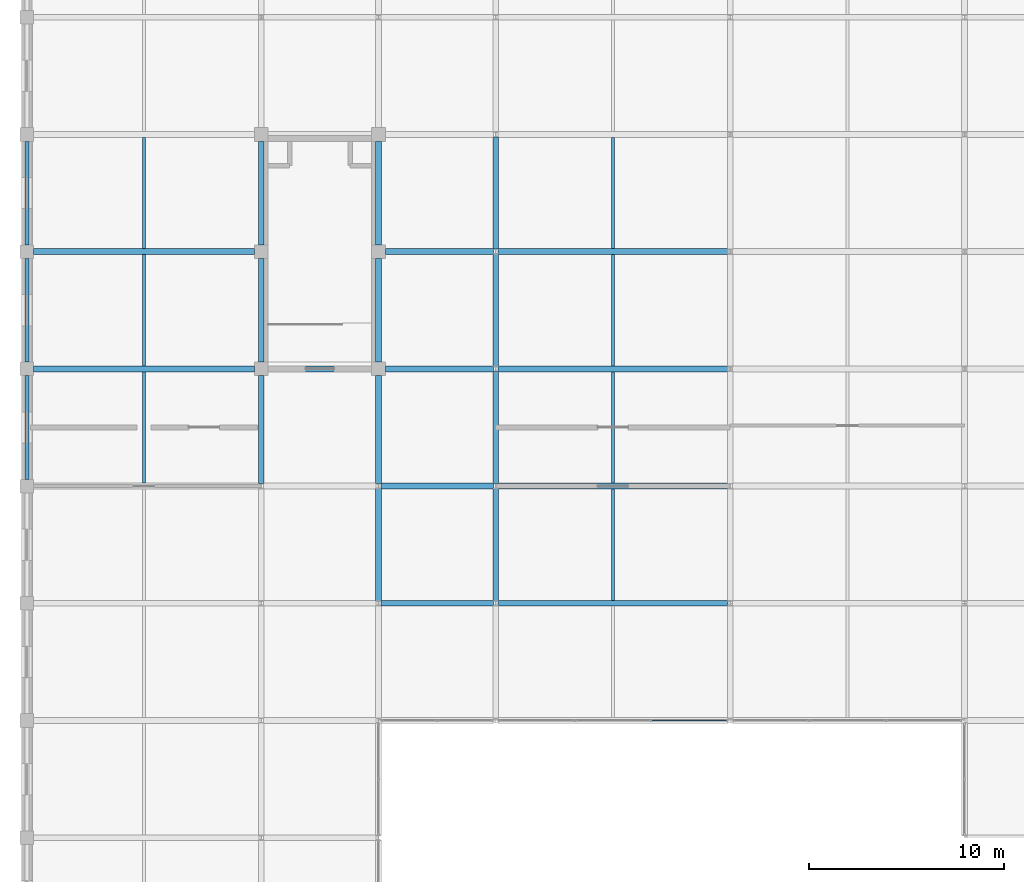
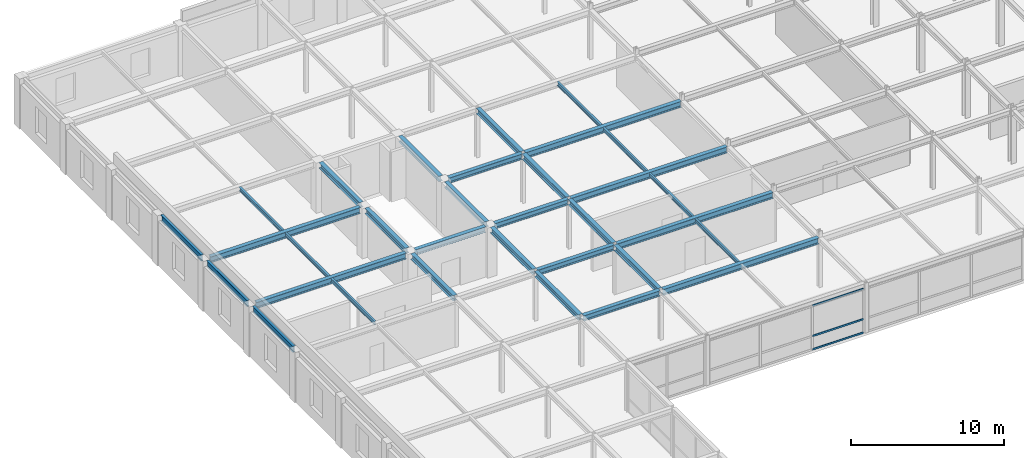
# One storey, part 73 of 111: 32 beams, 3 members, 1 element without a shape of its own.
"""IFC4 building model written with IfcOpenShell, lengths in metres."""

import ifcopenshell
import ifcopenshell.guid

model = None  # the IFC model being written
_history = None  # IfcOwnerHistory: only IFC2X3 demands one
_inside = {}  # id of a spatial element -> (the spatial element, [elements in it])
_under = {}  # id of a project, library or spatial element -> (it, [spatial elements below it])
_declared = {}  # id of a project -> (the project, [libraries it declares])
_typed = {}  # id of a type object -> (the type object, [elements of that type])
_made_of = {}  # id of a material, layer set ... -> (it, [elements and type objects made of it])


def new_model(schema):
    """Start an empty IFC model of exactly this schema.

    Asked for "IFC4X3", IfcOpenShell would pick the latest addendum, in which some entities
    have other attributes; the version numbers below select the first issue.
    IFC2X3 requires an IfcOwnerHistory on every rooted entity: one is made here for all.
    """
    global model, _history
    if schema == "IFC4X3":
        model = ifcopenshell.file(schema_version=(4, 3, 0, 0))
    else:
        model = ifcopenshell.file(schema=schema)
    _inside.clear()
    _under.clear()
    _declared.clear()
    _typed.clear()
    _made_of.clear()
    _history = None
    if model.schema == "IFC2X3":
        org = make("IfcOrganization", Name="unknown")
        user = make(
            "IfcPersonAndOrganization",
            ThePerson=make("IfcPerson", FamilyName="unknown"),
            TheOrganization=org,
        )
        app = make(
            "IfcApplication",
            ApplicationDeveloper=org,
            Version="unknown",
            ApplicationFullName="unknown",
            ApplicationIdentifier="unknown",
        )
        _history = make(
            "IfcOwnerHistory",
            OwningUser=user,
            OwningApplication=app,
            ChangeAction="ADDED",
            CreationDate=0,
        )
    return model


def make(cls, **values):
    """One entity of the class cls with the attributes given. An attribute that is None is left unset."""
    return model.create_entity(
        cls, **{name: value for name, value in values.items() if value is not None}
    )


def rooted(cls, **values):
    """An entity with a GlobalId (a new one), such as an element, a storey or a relation."""
    return make(cls, GlobalId=ifcopenshell.guid.new(), OwnerHistory=_history, **values)


def si_unit(unit_type, name, prefix=None):
    """IfcSIUnit, for example si_unit("LENGTHUNIT", "METRE", prefix="MILLI")."""
    return make("IfcSIUnit", UnitType=unit_type, Prefix=prefix, Name=name)


def assignment(units):
    """IfcUnitAssignment: the units of a project."""
    return None if units is None else make("IfcUnitAssignment", Units=units)


def point(xyz):
    """IfcCartesianPoint."""
    return None if xyz is None else make("IfcCartesianPoint", Coordinates=xyz)


def direction(xyz):
    """IfcDirection."""
    return None if xyz is None else make("IfcDirection", DirectionRatios=xyz)


def frame(location, z_axis=None, x_axis=None):
    """IfcAxis2Placement3D, a coordinate frame: its origin and axes. An axis left out is left unset."""
    return make(
        "IfcAxis2Placement3D",
        Location=point(location),
        Axis=direction(z_axis),
        RefDirection=direction(x_axis),
    )


def frame_2d(location, x_axis=None):
    """IfcAxis2Placement2D, a coordinate frame in the plane: its origin and x axis."""
    return make(
        "IfcAxis2Placement2D", Location=point(location), RefDirection=direction(x_axis)
    )


def origin():
    """The frame at (0, 0, 0) with its axes left unset."""
    return frame((0.0, 0.0, 0.0))


def origin_2d():
    """The frame at (0, 0) in the plane with its x axis left unset."""
    return frame_2d((0.0, 0.0))


def place(relative_to, where):
    """IfcLocalPlacement: puts the frame where relative to a parent placement (None: the world)."""
    return make(
        "IfcLocalPlacement", PlacementRelTo=relative_to, RelativePlacement=where
    )


def context(
    kind, dimensions, precision=None, world=None, true_north=None, identifier=None
):
    """IfcGeometricRepresentationContext, for example the 3D "Model" context."""
    return make(
        "IfcGeometricRepresentationContext",
        ContextIdentifier=identifier,
        ContextType=kind,
        CoordinateSpaceDimension=dimensions,
        Precision=precision,
        WorldCoordinateSystem=world,
        TrueNorth=true_north,
    )


def subcontext(parent, identifier, kind, view, scale=None):
    """IfcGeometricRepresentationSubContext, for example "Body" below "Model"."""
    return make(
        "IfcGeometricRepresentationSubContext",
        ContextIdentifier=identifier,
        ContextType=kind,
        ParentContext=parent,
        TargetScale=scale,
        TargetView=view,
    )


def project(units=None, contexts=None):
    """IfcProject with its units and contexts."""
    return rooted(
        "IfcProject",
        Name="project",
        RepresentationContexts=contexts,
        UnitsInContext=assignment(units),
    )


def spatial(cls, under=None, at=None, **own):
    """A site, building, storey or space (cls), placed at a placement, below another one or the project."""
    s = rooted(cls, ObjectPlacement=at, **own)
    if under is not None:
        _under.setdefault(under.id(), (under, []))[1].append(s)
    return s


def profile(cls, at=None, kind="AREA", **sizes):
    """A parametric profile (cls). Its sizes go by their IFC names, for example OverallWidth=200.0."""
    return make(cls, ProfileType=kind, Position=at, **sizes)


def hollow_rectangle(**sizes):
    """IfcRectangleHollowProfileDef."""
    return profile("IfcRectangleHollowProfileDef", **sizes)


def i_section(**sizes):
    """IfcIShapeProfileDef."""
    return profile("IfcIShapeProfileDef", **sizes)


def extrude(swept, where, along, depth):
    """IfcExtrudedAreaSolid: the profile swept, set in the frame where, extruded along a direction by depth."""
    return make(
        "IfcExtrudedAreaSolid",
        SweptArea=swept,
        Position=where,
        ExtrudedDirection=direction(along),
        Depth=depth,
    )


def shape(context_of_items, identifier, shape_type, items):
    """IfcShapeRepresentation: the items that make up one representation, for example the "Body"."""
    return make(
        "IfcShapeRepresentation",
        ContextOfItems=context_of_items,
        RepresentationIdentifier=identifier,
        RepresentationType=shape_type,
        Items=items,
    )


def material(Name=None, Category=None):
    """IfcMaterial."""
    return make("IfcMaterial", Name=Name, Category=Category)


def layer(
    of_material, thickness, ventilated=None, Name=None, Category=None, Priority=None
):
    """IfcMaterialLayer: one layer of a wall or slab, of a material (None: an air gap)."""
    return make(
        "IfcMaterialLayer",
        Material=of_material,
        LayerThickness=thickness,
        IsVentilated=ventilated,
        Name=Name,
        Category=Category,
        Priority=Priority,
    )


def layer_set(layers, Name=None):
    """IfcMaterialLayerSet."""
    return make("IfcMaterialLayerSet", MaterialLayers=layers, LayerSetName=Name)


def material_profile(
    of_material, cross_section, Name=None, Category=None, Priority=None
):
    """IfcMaterialProfile: a cross section and its material."""
    return make(
        "IfcMaterialProfile",
        Name=Name,
        Material=of_material,
        Profile=cross_section,
        Priority=Priority,
        Category=Category,
    )


def profile_set(profiles, Name=None, composite=None):
    """IfcMaterialProfileSet."""
    return make(
        "IfcMaterialProfileSet",
        Name=Name,
        MaterialProfiles=profiles,
        CompositeProfile=composite,
    )


def made_of(thing, what):
    """Note that an element or type object is made of a material, layer set ...; save() writes the relation."""
    if what is not None:
        _made_of.setdefault(what.id(), (what, []))[1].append(thing)
    return thing


def type_object(cls, material=None, **own):
    """A type object (cls), such as IfcWallType, which elements share."""
    return made_of(rooted(cls, **own), material)


def element(
    cls,
    number,
    at=None,
    inside=None,
    cuts=None,
    type_object=None,
    material=None,
    context=None,
    identifier="Body",
    shape_type=None,
    held_by="IfcProductDefinitionShape",
    body=None,
    shapes=None,
    **own,
):
    """One element of the class cls, such as IfcWall. Its Tag is "e" and its number.

    at: its placement. inside: the storey or other place that contains it. cuts: it is an
    opening in that element (IfcRelVoidsElement). A single representation is given by context,
    identifier, shape_type and body (its items); several are given by shapes. held_by: the class
    of the entity that holds the representations. save() writes the other relations.
    """
    e = rooted(cls, Tag="e%d" % number, ObjectPlacement=at, **own)
    if body is not None:
        shapes = [shape(context, identifier, shape_type, body)]
    if shapes is not None:
        e.Representation = make(held_by, Representations=shapes)
    if inside is not None:
        _inside.setdefault(inside.id(), (inside, []))[1].append(e)
    if cuts is not None:
        rooted(
            "IfcRelVoidsElement", RelatingBuildingElement=cuts, RelatedOpeningElement=e
        )
    if type_object is not None:
        _typed.setdefault(type_object.id(), (type_object, []))[1].append(e)
    return made_of(e, material)


def aggregate(whole, parts):
    """IfcRelAggregates: a whole, such as a stair, and the parts it consists of."""
    return rooted("IfcRelAggregates", RelatingObject=whole, RelatedObjects=parts)


def save(model, path):
    """Write the relations noted so far, then the file.

    IfcRelAggregates (storeys below a building ...), IfcRelContainedInSpatialStructure (elements
    in a storey), IfcRelDefinesByType, IfcRelAssociatesMaterial and IfcRelDeclares: one each for
    every whole, place, type object, material and project.
    """
    for whole, parts in _under.values():
        aggregate(whole, parts)
    for where, things in _inside.values():
        rooted(
            "IfcRelContainedInSpatialStructure",
            RelatedElements=things,
            RelatingStructure=where,
        )
    for kind, things in _typed.values():
        rooted("IfcRelDefinesByType", RelatedObjects=things, RelatingType=kind)
    for what, things in _made_of.values():
        rooted("IfcRelAssociatesMaterial", RelatedObjects=things, RelatingMaterial=what)
    for by, libraries in _declared.values():
        rooted("IfcRelDeclares", RelatingContext=by, RelatedDefinitions=libraries)
    model.write(path)


model = new_model("IFC4")

# Units and contexts
model_context = context("Model", 3, precision=1e-05, world=origin(), true_north=direction((0.0, 1.0)))
body_context = subcontext(model_context, "Body", "Model", "MODEL_VIEW")
ifc_project = project(units=[si_unit("LENGTHUNIT", "METRE"), si_unit("AREAUNIT", "SQUARE_METRE"), si_unit("VOLUMEUNIT", "CUBIC_METRE"), si_unit("PLANEANGLEUNIT", "RADIAN"), si_unit("MASSUNIT", "GRAM", prefix="KILO")], contexts=[model_context])

# Site, building, storey
site_placement = place(None, origin())
site = spatial("IfcSite", under=ifc_project, at=site_placement, CompositionType="ELEMENT")
building_placement = place(site_placement, origin())
building = spatial("IfcBuilding", under=site, at=building_placement, Name="Zlatovratsky Civic Hall", CompositionType="ELEMENT")
storey_placement = place(building_placement, frame((0.0, 0.0, 16.5)))
storey = spatial("IfcBuildingStorey", under=building, at=storey_placement, Name="L04", CompositionType="ELEMENT", Elevation=16.5)

# Beams
ifc_material_1 = material(Name="Steel S355", Category="steel")
ifc_material_profile_1 = material_profile(ifc_material_1, i_section(OverallWidth=0.300048828125, OverallDepth=0.487060546875, WebThickness=0.014404296875, FlangeThickness=0.017578125, FilletRadius=0.02392578125, at=origin_2d()), Name="50Sh2")
ifc_profile_set_1 = profile_set([ifc_material_profile_1], Name="Steel S355")
beam_type_1 = type_object("IfcBeamType", Name="Beam_ArchiveGirder_50Sh2", PredefinedType="BEAM", material=ifc_profile_set_1)
for number, where, z_axis, x_axis, name in (
    (1, (24.125, 72.0, 3.756591796875), (1.0, 0.0, 0.0), (0.0, 1.0, 0.0), "BM-3349"),
    (2, (24.125, 78.0, 3.756591796875), (1.0, 0.0, 0.0), (0.0, 1.0, 0.0), "BM-3365"),
):
    element("IfcBeam", number, at=place(storey_placement, frame(where, z_axis=z_axis, x_axis=x_axis)), inside=storey, type_object=beam_type_1, Name=name, PredefinedType="BEAM", context=body_context, shape_type="SweptSolid", body=[
        extrude(i_section(OverallWidth=0.300048828125, OverallDepth=0.487060546875, WebThickness=0.014404296875, FlangeThickness=0.017578125, FilletRadius=0.02392578125, at=origin_2d()), origin(), (0.0, 0.0, 1.0), 11.75),
    ])
beam_1_placement = place(storey_placement, frame((0.35009765625, 84.0, 3.756591796875), z_axis=(1.0, 0.0, 0.0), x_axis=(0.0, 1.0, 0.0)))
element("IfcBeam", 3, at=beam_1_placement, inside=storey, type_object=beam_type_1, Name="BM-3384", PredefinedType="BEAM", context=body_context, shape_type="SweptSolid", body=[
    extrude(i_section(OverallWidth=0.300048828125, OverallDepth=0.487060546875, WebThickness=0.014404296875, FlangeThickness=0.017578125, FilletRadius=0.02392578125, at=origin_2d()), origin(), (0.0, 0.0, 1.0), 11.2998046875),
])
beam_2_placement = place(storey_placement, frame((24.125, 84.0, 3.756591796875), z_axis=(1.0, 0.0, 0.0), x_axis=(0.0, 1.0, 0.0)))
element("IfcBeam", 4, at=beam_2_placement, inside=storey, type_object=beam_type_1, Name="BM-3387", PredefinedType="BEAM", context=body_context, shape_type="SweptSolid", body=[
    extrude(i_section(OverallWidth=0.300048828125, OverallDepth=0.487060546875, WebThickness=0.014404296875, FlangeThickness=0.017578125, FilletRadius=0.02392578125, at=origin_2d()), origin(), (0.0, 0.0, 1.0), 11.75),
])
beam_3_placement = place(storey_placement, frame((0.35009765625, 90.0, 3.756591796875), z_axis=(1.0, 0.0, 0.0), x_axis=(0.0, 1.0, 0.0)))
element("IfcBeam", 5, at=beam_3_placement, inside=storey, type_object=beam_type_1, Name="BM-3406", PredefinedType="BEAM", context=body_context, shape_type="SweptSolid", body=[
    extrude(i_section(OverallWidth=0.300048828125, OverallDepth=0.487060546875, WebThickness=0.014404296875, FlangeThickness=0.017578125, FilletRadius=0.02392578125, at=origin_2d()), origin(), (0.0, 0.0, 1.0), 11.2998046875),
])
beam_4_placement = place(storey_placement, frame((24.125, 90.0, 3.756591796875), z_axis=(1.0, 0.0, 0.0), x_axis=(0.0, 1.0, 0.0)))
element("IfcBeam", 6, at=beam_4_placement, inside=storey, type_object=beam_type_1, Name="BM-3408", PredefinedType="BEAM", context=body_context, shape_type="SweptSolid", body=[
    extrude(i_section(OverallWidth=0.300048828125, OverallDepth=0.487060546875, WebThickness=0.014404296875, FlangeThickness=0.017578125, FilletRadius=0.02392578125, at=origin_2d()), origin(), (0.0, 0.0, 1.0), 11.75),
])
ifc_material_profile_2 = material_profile(ifc_material_1, i_section(OverallWidth=0.198974609375, OverallDepth=0.491943359375, WebThickness=0.0087890625, FlangeThickness=0.011962890625, FilletRadius=0.01611328125, at=origin_2d()), Name="50B1")
ifc_profile_set_2 = profile_set([ifc_material_profile_2], Name="Steel S355")
beam_type_2 = type_object("IfcBeamType", Name="Beam_Spandrel_50B1", PredefinedType="SPANDREL", material=ifc_profile_set_2)
for number, where, z_axis, x_axis, name in (
    (7, (0.0, 78.35009765625, 3.75390625), (0.0, 1.0, 0.0), (-1.0, 0.0, 0.0), "BM-3523"),
    (8, (0.0, 84.35009765625, 3.75390625), (0.0, 1.0, 0.0), (-1.0, 0.0, 0.0), "BM-3524"),
    (9, (0.0, 90.35009765625, 3.75390625), (0.0, 1.0, 0.0), (-1.0, 0.0, 0.0), "BM-3525"),
):
    element("IfcBeam", number, at=place(storey_placement, frame(where, z_axis=z_axis, x_axis=x_axis)), inside=storey, type_object=beam_type_2, Name=name, PredefinedType="SPANDREL", context=body_context, shape_type="SweptSolid", body=[
        extrude(i_section(OverallWidth=0.198974609375, OverallDepth=0.491943359375, WebThickness=0.0087890625, FlangeThickness=0.011962890625, FilletRadius=0.01611328125, at=origin_2d()), origin(), (0.0, 0.0, 1.0), 5.2998046875),
    ])
ifc_material_profile_3 = material_profile(ifc_material_1, i_section(OverallWidth=0.300048828125, OverallDepth=0.43994140625, WebThickness=0.010986328125, FlangeThickness=0.01806640625, FilletRadius=0.02197265625, at=origin_2d()), Name="45Sh1")
ifc_profile_set_3 = profile_set([ifc_material_profile_3], Name="Steel S355")
beam_type_3 = type_object("IfcBeamType", Name="Beam_TowerLow_45Sh1", PredefinedType="BEAM", material=ifc_profile_set_3)
for number, where, z_axis, x_axis, name in (
    (10, (18.125, 72.0, 3.780029296875), (1.0, 0.0, 0.0), (0.0, 1.0, 0.0), "BM-3348"),
    (11, (18.125, 78.0, 3.780029296875), (1.0, 0.0, 0.0), (0.0, 1.0, 0.0), "BM-3364"),
):
    element("IfcBeam", number, at=place(storey_placement, frame(where, z_axis=z_axis, x_axis=x_axis)), inside=storey, type_object=beam_type_3, Name=name, PredefinedType="BEAM", context=body_context, shape_type="SweptSolid", body=[
        extrude(i_section(OverallWidth=0.300048828125, OverallDepth=0.43994140625, WebThickness=0.010986328125, FlangeThickness=0.01806640625, FilletRadius=0.02197265625, at=origin_2d()), origin(), (0.0, 0.0, 1.0), 5.75),
    ])
beam_5_placement = place(storey_placement, frame((12.35009765625, 84.0, 3.780029296875), z_axis=(1.0, 0.0, 0.0), x_axis=(0.0, 1.0, 0.0)))
element("IfcBeam", 12, at=beam_5_placement, inside=storey, type_object=beam_type_3, Name="BM-3385", PredefinedType="BEAM", context=body_context, shape_type="SweptSolid", body=[
    extrude(i_section(OverallWidth=0.300048828125, OverallDepth=0.43994140625, WebThickness=0.010986328125, FlangeThickness=0.01806640625, FilletRadius=0.02197265625, at=origin_2d()), origin(), (0.0, 0.0, 1.0), 5.2998046875),
])
for number, where, z_axis, x_axis, name in (
    (13, (18.35009765625, 84.0, 3.780029296875), (1.0, 0.0, 0.0), (0.0, 1.0, 0.0), "BM-3386"),
    (14, (18.35009765625, 90.0, 3.780029296875), (1.0, 0.0, 0.0), (0.0, 1.0, 0.0), "BM-3407"),
    (15, (12.0, 78.125, 3.780029296875), (0.0, 1.0, 0.0), (-1.0, 0.0, 0.0), "BM-3540"),
):
    element("IfcBeam", number, at=place(storey_placement, frame(where, z_axis=z_axis, x_axis=x_axis)), inside=storey, type_object=beam_type_3, Name=name, PredefinedType="BEAM", context=body_context, shape_type="SweptSolid", body=[
        extrude(i_section(OverallWidth=0.300048828125, OverallDepth=0.43994140625, WebThickness=0.010986328125, FlangeThickness=0.01806640625, FilletRadius=0.02197265625, at=origin_2d()), origin(), (0.0, 0.0, 1.0), 5.52490234375),
    ])
for number, where, z_axis, x_axis, name in (
    (16, (12.0, 84.35009765625, 3.780029296875), (0.0, 1.0, 0.0), (-1.0, 0.0, 0.0), "BM-3541"),
    (17, (12.0, 90.35009765625, 3.780029296875), (0.0, 1.0, 0.0), (-1.0, 0.0, 0.0), "BM-3542"),
):
    element("IfcBeam", number, at=place(storey_placement, frame(where, z_axis=z_axis, x_axis=x_axis)), inside=storey, type_object=beam_type_3, Name=name, PredefinedType="BEAM", context=body_context, shape_type="SweptSolid", body=[
        extrude(i_section(OverallWidth=0.300048828125, OverallDepth=0.43994140625, WebThickness=0.010986328125, FlangeThickness=0.01806640625, FilletRadius=0.02197265625, at=origin_2d()), origin(), (0.0, 0.0, 1.0), 5.2998046875),
    ])
beam_6_placement = place(storey_placement, frame((18.0, 72.125, 3.780029296875), z_axis=(0.0, 1.0, 0.0), x_axis=(-1.0, 0.0, 0.0)))
element("IfcBeam", 18, at=beam_6_placement, inside=storey, type_object=beam_type_3, Name="BM-3556", PredefinedType="BEAM", context=body_context, shape_type="SweptSolid", body=[
    extrude(i_section(OverallWidth=0.300048828125, OverallDepth=0.43994140625, WebThickness=0.010986328125, FlangeThickness=0.01806640625, FilletRadius=0.02197265625, at=origin_2d()), origin(), (0.0, 0.0, 1.0), 5.75),
])
beam_7_placement = place(storey_placement, frame((18.0, 78.125, 3.780029296875), z_axis=(0.0, 1.0, 0.0), x_axis=(-1.0, 0.0, 0.0)))
element("IfcBeam", 19, at=beam_7_placement, inside=storey, type_object=beam_type_3, Name="BM-3557", PredefinedType="BEAM", context=body_context, shape_type="SweptSolid", body=[
    extrude(i_section(OverallWidth=0.300048828125, OverallDepth=0.43994140625, WebThickness=0.010986328125, FlangeThickness=0.01806640625, FilletRadius=0.02197265625, at=origin_2d()), origin(), (0.0, 0.0, 1.0), 5.52490234375),
])
for number, where, z_axis, x_axis, name in (
    (20, (18.0, 84.35009765625, 3.780029296875), (0.0, 1.0, 0.0), (-1.0, 0.0, 0.0), "BM-3558"),
    (21, (18.0, 90.35009765625, 3.780029296875), (0.0, 1.0, 0.0), (-1.0, 0.0, 0.0), "BM-3559"),
):
    element("IfcBeam", number, at=place(storey_placement, frame(where, z_axis=z_axis, x_axis=x_axis)), inside=storey, type_object=beam_type_3, Name=name, PredefinedType="BEAM", context=body_context, shape_type="SweptSolid", body=[
        extrude(i_section(OverallWidth=0.300048828125, OverallDepth=0.43994140625, WebThickness=0.010986328125, FlangeThickness=0.01806640625, FilletRadius=0.02197265625, at=origin_2d()), origin(), (0.0, 0.0, 1.0), 5.2998046875),
    ])
for number, where, z_axis, x_axis, name in (
    (22, (24.0, 72.125, 3.780029296875), (0.0, 1.0, 0.0), (-1.0, 0.0, 0.0), "BM-3567"),
    (23, (24.0, 78.125, 3.780029296875), (0.0, 1.0, 0.0), (-1.0, 0.0, 0.0), "BM-3568"),
    (24, (24.0, 84.125, 3.780029296875), (0.0, 1.0, 0.0), (-1.0, 0.0, 0.0), "BM-3569"),
    (25, (24.0, 90.125, 3.780029296875), (0.0, 1.0, 0.0), (-1.0, 0.0, 0.0), "BM-3570"),
):
    element("IfcBeam", number, at=place(storey_placement, frame(where, z_axis=z_axis, x_axis=x_axis)), inside=storey, type_object=beam_type_3, Name=name, PredefinedType="BEAM", context=body_context, shape_type="SweptSolid", body=[
        extrude(i_section(OverallWidth=0.300048828125, OverallDepth=0.43994140625, WebThickness=0.010986328125, FlangeThickness=0.01806640625, FilletRadius=0.02197265625, at=origin_2d()), origin(), (0.0, 0.0, 1.0), 5.75),
    ])

# Curtain wall, members
ifc_material_2 = material(Name="Anodised bronze aluminium", Category="aluminium")
ifc_layer = layer(ifc_material_2, 0.159912109375)
ifc_layer_set = layer_set([ifc_layer], Name="Anodised bronze aluminium")
curtain_wall_type = type_object("IfcCurtainWallType", Name="CurtainWall_Bronze_11750x3550_17", PredefinedType="NOTDEFINED", material=ifc_layer_set)
curtain_wall_placement = place(storey_placement, origin())
curtain_wall = element("IfcCurtainWall", 26, at=curtain_wall_placement, inside=storey, type_object=curtain_wall_type, Name="CW-097", PredefinedType="NOTDEFINED")
ifc_material_profile_4 = material_profile(ifc_material_2, hollow_rectangle(XDim=0.06005859375, YDim=0.139892578125, WallThickness=0.00390625, at=origin_2d()), Name="ALU 60x140x4")
ifc_profile_set_4 = profile_set([ifc_material_profile_4], Name="Anodised bronze aluminium")
member_type = type_object("IfcMemberType", Name="CW_Transom_60x140", PredefinedType="USERDEFINED", material=ifc_profile_set_4)
member_1_placement = place(storey_placement, frame((31.98828125, 66.0, 0.030029296875), z_axis=(1.0, 0.0, 0.0), x_axis=(0.0, 1.0, 0.0)))
member_1 = element("IfcMember", 27, at=member_1_placement, type_object=member_type, Name="CW-17 transom 3.1", ObjectType="TRANSOM", PredefinedType="USERDEFINED", context=body_context, shape_type="SweptSolid", body=[
    extrude(hollow_rectangle(XDim=0.06005859375, YDim=0.139892578125, WallThickness=0.00390625, at=origin_2d()), origin(), (0.0, 0.0, 1.0), 3.82666015625),
])
member_2_placement = place(storey_placement, frame((31.98828125, 66.0, 1.10009765625), z_axis=(1.0, 0.0, 0.0), x_axis=(0.0, 1.0, 0.0)))
member_2 = element("IfcMember", 28, at=member_2_placement, type_object=member_type, Name="CW-17 transom 3.2", ObjectType="TRANSOM", PredefinedType="USERDEFINED", context=body_context, shape_type="SweptSolid", body=[
    extrude(hollow_rectangle(XDim=0.06005859375, YDim=0.139892578125, WallThickness=0.00390625, at=origin_2d()), origin(), (0.0, 0.0, 1.0), 3.82666015625),
])
member_3_placement = place(storey_placement, frame((31.98828125, 66.0, 3.52001953125), z_axis=(1.0, 0.0, 0.0), x_axis=(0.0, 1.0, 0.0)))
member_3 = element("IfcMember", 29, at=member_3_placement, type_object=member_type, Name="CW-17 transom 3.3", ObjectType="TRANSOM", PredefinedType="USERDEFINED", context=body_context, shape_type="SweptSolid", body=[
    extrude(hollow_rectangle(XDim=0.06005859375, YDim=0.139892578125, WallThickness=0.00390625, at=origin_2d()), origin(), (0.0, 0.0, 1.0), 3.82666015625),
])
aggregate(curtain_wall, [member_1, member_2, member_3])

# Beams
ifc_material_profile_5 = material_profile(ifc_material_1, i_section(OverallWidth=0.14892578125, OverallDepth=0.2958984375, WebThickness=0.005615234375, FlangeThickness=0.008056640625, FilletRadius=0.012939453125, at=origin_2d()), Name="30B1")
ifc_profile_set_5 = profile_set([ifc_material_profile_5], Name="Steel S355")
beam_type_4 = type_object("IfcBeamType", Name="Joist_Tower_30B1", PredefinedType="JOIST", material=ifc_profile_set_5)
for number, where, z_axis, x_axis, name in (
    (30, (30.0, 72.14990234375, 3.85205078125), (0.0, 1.0, 0.0), (-1.0, 0.0, 0.0), "BM-3866"),
    (31, (6.0, 78.14990234375, 3.85205078125), (0.0, 1.0, 0.0), (-1.0, 0.0, 0.0), "BM-3871"),
    (32, (30.0, 78.14990234375, 3.85205078125), (0.0, 1.0, 0.0), (-1.0, 0.0, 0.0), "BM-3872"),
    (33, (6.0, 84.14990234375, 3.85205078125), (0.0, 1.0, 0.0), (-1.0, 0.0, 0.0), "BM-3877"),
    (34, (30.0, 84.14990234375, 3.85205078125), (0.0, 1.0, 0.0), (-1.0, 0.0, 0.0), "BM-3878"),
    (35, (6.0, 90.14990234375, 3.85205078125), (0.0, 1.0, 0.0), (-1.0, 0.0, 0.0), "BM-3883"),
    (36, (30.0, 90.14990234375, 3.85205078125), (0.0, 1.0, 0.0), (-1.0, 0.0, 0.0), "BM-3884"),
):
    element("IfcBeam", number, at=place(storey_placement, frame(where, z_axis=z_axis, x_axis=x_axis)), inside=storey, type_object=beam_type_4, Name=name, PredefinedType="JOIST", context=body_context, shape_type="SweptSolid", body=[
        extrude(i_section(OverallWidth=0.14892578125, OverallDepth=0.2958984375, WebThickness=0.005615234375, FlangeThickness=0.008056640625, FilletRadius=0.012939453125, at=origin_2d()), origin(), (0.0, 0.0, 1.0), 5.7001953125),
    ])

save(model, "model.ifc")
